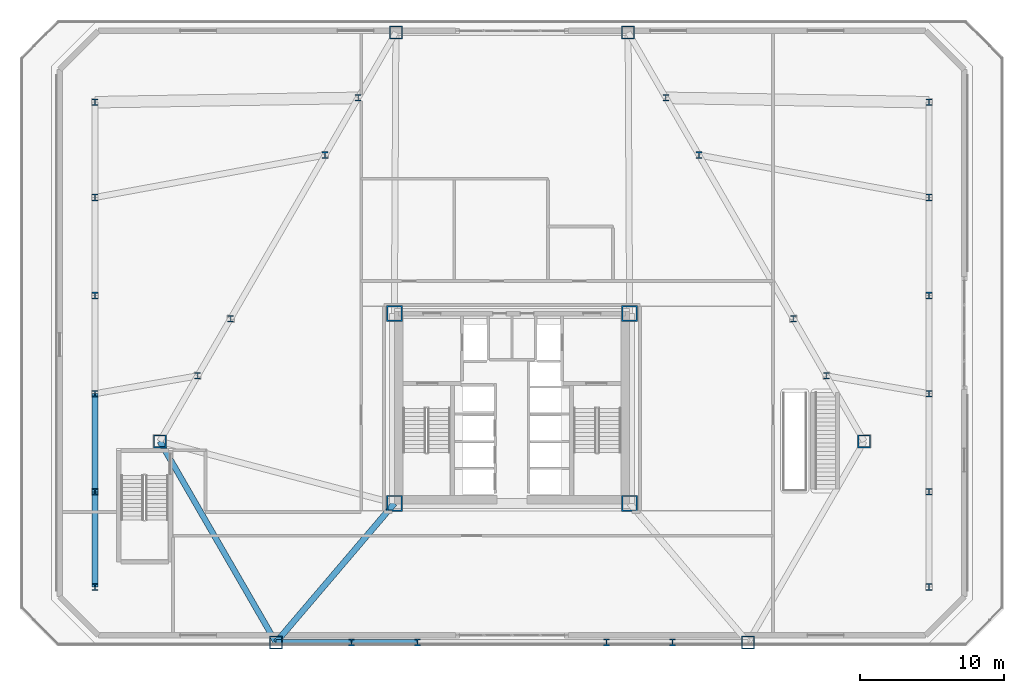
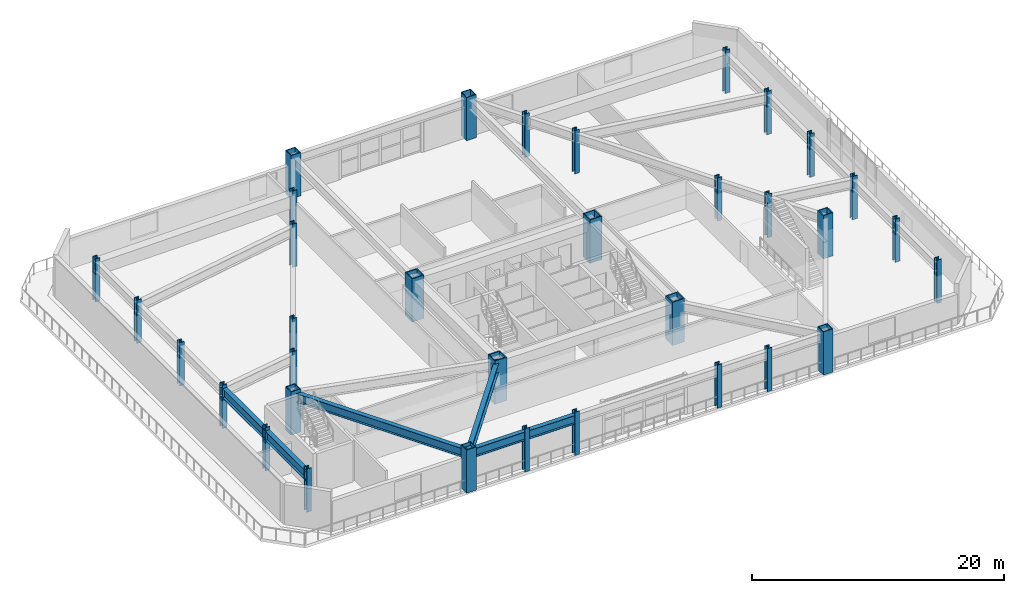
# One storey, part 1 of 22: 34 columns, 6 beams.
"""IFC4 building model written with IfcOpenShell, lengths in metres."""

from ifc_helpers import new_model, si_unit, direction, frame, origin, origin_2d, place, context, subcontext, project, spatial, hollow_rectangle, i_section, extrude, material, material_profile, profile_set, type_object, element, save


model = new_model("IFC4")

# Units and contexts
model_context = context("Model", 3, precision=1e-05, world=origin(), true_north=direction((0.0, 1.0)))
body_context = subcontext(model_context, "Body", "Model", "MODEL_VIEW")
ifc_project = project(units=[si_unit("LENGTHUNIT", "METRE"), si_unit("AREAUNIT", "SQUARE_METRE"), si_unit("VOLUMEUNIT", "CUBIC_METRE"), si_unit("PLANEANGLEUNIT", "RADIAN"), si_unit("MASSUNIT", "GRAM", prefix="KILO")], contexts=[model_context])

# Site, building, storey
site_placement = place(None, origin())
site = spatial("IfcSite", under=ifc_project, at=site_placement, CompositionType="ELEMENT")
building_placement = place(site_placement, origin())
building = spatial("IfcBuilding", under=site, at=building_placement, Name="Oramaril Tower", CompositionType="ELEMENT")
storey_placement = place(building_placement, frame((0.0, 0.0, 18.300048828125)))
storey = spatial("IfcBuildingStorey", under=building, at=storey_placement, Name="L04", CompositionType="ELEMENT", Elevation=18.300048828125)

# Columns
ifc_material_1 = material(Name="Steel ASTM A572 Gr 50", Category="steel")
ifc_material_profile_1 = material_profile(ifc_material_1, hollow_rectangle(XDim=1.10009765625, YDim=1.10009765625, WallThickness=0.090087890625, at=origin_2d()), Name="BOX1100X1100X90")
ifc_profile_set_1 = profile_set([ifc_material_profile_1], Name="Steel ASTM A572 Gr 50")
column_type_1 = type_object("IfcColumnType", Name="CT-CC1", PredefinedType="COLUMN", material=ifc_profile_set_1)
for number, where, z_axis, x_axis, name in (
    (1, (29.35009765625, 11.0, 0.0), (0.0, 0.0, 1.0), (1.0, 0.0, 0.0), "L04 Core Column CC-1"),
    (2, (45.64990234375, 11.0, 0.0), (0.0, 0.0, 1.0), (1.0, 0.0, 0.0), "L04 Core Column CC-2"),
    (3, (45.64990234375, 24.14990234375, 0.0), (0.0, 0.0, 1.0), (1.0, 0.0, 0.0), "L04 Core Column CC-3"),
    (4, (29.35009765625, 24.14990234375, 0.0), (0.0, 0.0, 1.0), (1.0, 0.0, 0.0), "L04 Core Column CC-4"),
):
    element("IfcColumn", number, at=place(storey_placement, frame(where, z_axis=z_axis, x_axis=x_axis)), inside=storey, type_object=column_type_1, Name=name, PredefinedType="COLUMN", context=body_context, shape_type="SweptSolid", body=[
        extrude(hollow_rectangle(XDim=1.10009765625, YDim=1.10009765625, WallThickness=0.090087890625, at=origin_2d()), origin(), (0.0, 0.0, 1.0), 4.199951171875),
    ])
ifc_material_2 = material(Name="Steel ASTM A572 Gr 50", Category="steel")
ifc_material_profile_2 = material_profile(ifc_material_2, hollow_rectangle(XDim=0.89990234375, YDim=0.89990234375, WallThickness=0.074951171875, at=origin_2d()), Name="BOX900X900X75")
ifc_profile_set_2 = profile_set([ifc_material_profile_2], Name="Steel ASTM A572 Gr 50")
column_type_2 = type_object("IfcColumnType", Name="CT-TC2", PredefinedType="COLUMN", material=ifc_profile_set_2)
for number, where, z_axis, x_axis, name in (
    (5, (13.089599609375, 15.300048828125, 0.00439453125), (0.0, 0.0, 1.0), (1.0, 0.0, 0.0), "L04 Tube Column TC-01"),
    (6, (21.137939453125, 1.360107421875, 0.00439453125), (0.0, 0.0, 1.0), (1.0, 0.0, 0.0), "L04 Tube Column TC-02"),
    (7, (53.862060546875, 1.360107421875, 0.00439453125), (0.0, 0.0, 1.0), (1.0, 0.0, 0.0), "L04 Tube Column TC-03"),
    (8, (61.910400390625, 15.300048828125, 0.00439453125), (0.0, 0.0, 1.0), (1.0, 0.0, 0.0), "L04 Tube Column TC-04"),
    (9, (45.548095703125, 43.639892578125, 0.00439453125), (0.0, 0.0, 1.0), (1.0, 0.0, 0.0), "L04 Tube Column TC-05"),
    (10, (29.451904296875, 43.639892578125, 0.00439453125), (0.0, 0.0, 1.0), (1.0, 0.0, 0.0), "L04 Tube Column TC-06"),
):
    element("IfcColumn", number, at=place(storey_placement, frame(where, z_axis=z_axis, x_axis=x_axis)), inside=storey, type_object=column_type_2, Name=name, PredefinedType="COLUMN", context=body_context, shape_type="SweptSolid", body=[
        extrude(hollow_rectangle(XDim=0.89990234375, YDim=0.89990234375, WallThickness=0.074951171875, at=origin_2d()), origin(), (0.0, 0.0, 1.0), 4.191162109375),
    ])
ifc_material_3 = material(Name="Steel ASTM A572 Gr 50", Category="steel")
ifc_material_profile_3 = material_profile(ifc_material_3, i_section(OverallWidth=0.422119140625, OverallDepth=0.465087890625, WebThickness=0.044921875, FlangeThickness=0.072021484375, at=origin_2d()), Name="W14X398")
ifc_profile_set_3 = profile_set([ifc_material_profile_3], Name="Steel ASTM A572 Gr 50")
column_type_3 = type_object("IfcColumnType", Name="CT-TF1", PredefinedType="COLUMN", material=ifc_profile_set_3)
for number, where, z_axis, x_axis, name in (
    (11, (26.373779296875, 1.360107421875, 0.00439453125), (0.0, 0.0, 1.0), (1.0, 0.0, 0.0), "L04 Tube Column TC-07"),
    (12, (30.955078125, 1.360107421875, 0.00439453125), (0.0, 0.0, 1.0), (1.0, 0.0, 0.0), "L04 Tube Column TC-08"),
    (13, (44.044921875, 1.360107421875, 0.00439453125), (0.0, 0.0, 1.0), (1.0, 0.0, 0.0), "L04 Tube Column TC-09"),
    (14, (48.626220703125, 1.360107421875, 0.00439453125), (0.0, 0.0, 1.0), (1.0, 0.0, 0.0), "L04 Tube Column TC-10"),
    (15, (59.29248046875, 19.83447265625, 0.00439453125), (0.0, 0.0, 1.0), (1.0, 0.0, 0.0), "L04 Tube Column TC-11"),
    (16, (57.001708984375, 23.802001953125, 0.00439453125), (0.0, 0.0, 1.0), (1.0, 0.0, 0.0), "L04 Tube Column TC-12"),
    (17, (50.456787109375, 35.137939453125, 0.00439453125), (0.0, 0.0, 1.0), (1.0, 0.0, 0.0), "L04 Tube Column TC-13"),
    (18, (48.166015625, 39.105712890625, 0.00439453125), (0.0, 0.0, 1.0), (1.0, 0.0, 0.0), "L04 Tube Column TC-14"),
    (19, (26.833984375, 39.105712890625, 0.00439453125), (0.0, 0.0, 1.0), (1.0, 0.0, 0.0), "L04 Tube Column TC-15"),
    (20, (24.543212890625, 35.137939453125, 0.00439453125), (0.0, 0.0, 1.0), (1.0, 0.0, 0.0), "L04 Tube Column TC-16"),
    (21, (17.998291015625, 23.802001953125, 0.00439453125), (0.0, 0.0, 1.0), (1.0, 0.0, 0.0), "L04 Tube Column TC-17"),
    (22, (15.70751953125, 19.83447265625, 0.00439453125), (0.0, 0.0, 1.0), (1.0, 0.0, 0.0), "L04 Tube Column TC-18"),
):
    element("IfcColumn", number, at=place(storey_placement, frame(where, z_axis=z_axis, x_axis=x_axis)), inside=storey, type_object=column_type_3, Name=name, PredefinedType="COLUMN", context=body_context, shape_type="SweptSolid", body=[
        extrude(i_section(OverallWidth=0.422119140625, OverallDepth=0.465087890625, WebThickness=0.044921875, FlangeThickness=0.072021484375, at=origin_2d()), origin(), (0.0, 0.0, 1.0), 4.191162109375),
    ])
for number, where, z_axis, x_axis, name in (
    (23, (8.60009765625, 5.199951171875, 0.0), (0.0, 0.0, 1.0), (1.0, 0.0, 0.0), "L04 Podium Column PCOL-01"),
    (24, (8.60009765625, 11.800048828125, 0.0), (0.0, 0.0, 1.0), (1.0, 0.0, 0.0), "L04 Podium Column PCOL-02"),
    (25, (8.60009765625, 18.60009765625, 0.0), (0.0, 0.0, 1.0), (1.0, 0.0, 0.0), "L04 Podium Column PCOL-03"),
    (26, (8.60009765625, 25.39990234375, 0.0), (0.0, 0.0, 1.0), (1.0, 0.0, 0.0), "L04 Podium Column PCOL-04"),
    (27, (8.60009765625, 32.199951171875, 0.0), (0.0, 0.0, 1.0), (1.0, 0.0, 0.0), "L04 Podium Column PCOL-05"),
    (28, (8.60009765625, 38.800048828125, 0.0), (0.0, 0.0, 1.0), (1.0, 0.0, 0.0), "L04 Podium Column PCOL-06"),
    (29, (66.39990234375, 5.199951171875, 0.0), (0.0, 0.0, 1.0), (1.0, 0.0, 0.0), "L04 Podium Column PCOL-07"),
    (30, (66.39990234375, 11.800048828125, 0.0), (0.0, 0.0, 1.0), (1.0, 0.0, 0.0), "L04 Podium Column PCOL-08"),
    (31, (66.39990234375, 18.60009765625, 0.0), (0.0, 0.0, 1.0), (1.0, 0.0, 0.0), "L04 Podium Column PCOL-09"),
    (32, (66.39990234375, 25.39990234375, 0.0), (0.0, 0.0, 1.0), (1.0, 0.0, 0.0), "L04 Podium Column PCOL-10"),
    (33, (66.39990234375, 32.199951171875, 0.0), (0.0, 0.0, 1.0), (1.0, 0.0, 0.0), "L04 Podium Column PCOL-11"),
    (34, (66.39990234375, 38.800048828125, 0.0), (0.0, 0.0, 1.0), (1.0, 0.0, 0.0), "L04 Podium Column PCOL-12"),
):
    element("IfcColumn", number, at=place(storey_placement, frame(where, z_axis=z_axis, x_axis=x_axis)), inside=storey, type_object=column_type_3, Name=name, PredefinedType="COLUMN", context=body_context, shape_type="SweptSolid", body=[
        extrude(i_section(OverallWidth=0.422119140625, OverallDepth=0.465087890625, WebThickness=0.044921875, FlangeThickness=0.072021484375, at=origin_2d()), origin(), (0.0, 0.0, 1.0), 4.199951171875),
    ])

# Beams
ifc_material_4 = material(Name="Steel ASTM A572 Gr 50", Category="steel")
ifc_material_profile_4 = material_profile(ifc_material_4, i_section(OverallWidth=0.4189453125, OverallDepth=0.927001953125, WebThickness=0.019287109375, FlangeThickness=0.031982421875, at=origin_2d()), Name="W36X231")
ifc_profile_set_4 = profile_set([ifc_material_profile_4], Name="Steel ASTM A572 Gr 50")
beam_type_1 = type_object("IfcBeamType", Name="BT-PG2", PredefinedType="BEAM", material=ifc_profile_set_4)
beam_1_placement = place(storey_placement, frame((29.35009765625, 11.0, 3.41650390625), z_axis=(-0.64848466157, -0.761227721322, 0.0), x_axis=(0.761227721322, -0.64848466157, 0.0)))
element("IfcBeam", 35, at=beam_1_placement, inside=storey, type_object=beam_type_1, Name="L04 Radial Primary Beam RB-02", PredefinedType="BEAM", context=body_context, shape_type="SweptSolid", body=[
    extrude(i_section(OverallWidth=0.4189453125, OverallDepth=0.927001953125, WebThickness=0.019287109375, FlangeThickness=0.031982421875, at=origin_2d()), origin(), (0.0, 0.0, 1.0), 12.66357421875),
])
beam_2_placement = place(storey_placement, frame((8.60009765625, 5.199951171875, 3.41650390625), z_axis=(0.0, 1.0, 0.0), x_axis=(-1.0, 0.0, 0.0)))
element("IfcBeam", 36, at=beam_2_placement, inside=storey, type_object=beam_type_1, Name="L04 Podium Perimeter Girder 01", PredefinedType="BEAM", context=body_context, shape_type="SweptSolid", body=[
    extrude(i_section(OverallWidth=0.4189453125, OverallDepth=0.927001953125, WebThickness=0.019287109375, FlangeThickness=0.031982421875, at=origin_2d()), origin(), (0.0, 0.0, 1.0), 6.60009765625),
])
beam_3_placement = place(storey_placement, frame((8.60009765625, 11.800048828125, 3.41650390625), z_axis=(0.0, 1.0, 0.0), x_axis=(-1.0, 0.0, 0.0)))
element("IfcBeam", 37, at=beam_3_placement, inside=storey, type_object=beam_type_1, Name="L04 Podium Perimeter Girder 02", PredefinedType="BEAM", context=body_context, shape_type="SweptSolid", body=[
    extrude(i_section(OverallWidth=0.4189453125, OverallDepth=0.927001953125, WebThickness=0.019287109375, FlangeThickness=0.031982421875, at=origin_2d()), origin(), (0.0, 0.0, 1.0), 6.800048828125),
])
ifc_material_5 = material(Name="Steel ASTM A572 Gr 50", Category="steel")
ifc_material_profile_5 = material_profile(ifc_material_5, i_section(OverallWidth=0.40087890625, OverallDepth=0.85595703125, WebThickness=0.018310546875, FlangeThickness=0.029296875, at=origin_2d()), Name="W33X201")
ifc_profile_set_5 = profile_set([ifc_material_profile_5], Name="Steel ASTM A572 Gr 50")
beam_type_2 = type_object("IfcBeamType", Name="BT-SP1", PredefinedType="SPANDREL", material=ifc_profile_set_5)
beam_4_placement = place(storey_placement, frame((13.089599609375, 15.300048828125, 3.451904296875), z_axis=(0.500005168208, -0.866022419898, 0.0), x_axis=(0.866022419898, 0.500005168208, 0.0)))
element("IfcBeam", 38, at=beam_4_placement, inside=storey, type_object=beam_type_2, Name="L04 Perimeter Spandrel 01", PredefinedType="SPANDREL", context=body_context, shape_type="SweptSolid", body=[
    extrude(i_section(OverallWidth=0.40087890625, OverallDepth=0.85595703125, WebThickness=0.018310546875, FlangeThickness=0.029296875, at=origin_2d()), origin(), (0.0, 0.0, 1.0), 16.096435546875),
])
beam_5_placement = place(storey_placement, frame((21.137939453125, 1.360107421875, 3.451904296875), z_axis=(1.0, 0.0, 0.0), x_axis=(0.0, 1.0, 0.0)))
element("IfcBeam", 39, at=beam_5_placement, inside=storey, type_object=beam_type_2, Name="L04 Perimeter Spandrel 02", PredefinedType="SPANDREL", context=body_context, shape_type="SweptSolid", body=[
    extrude(i_section(OverallWidth=0.40087890625, OverallDepth=0.85595703125, WebThickness=0.018310546875, FlangeThickness=0.029296875, at=origin_2d()), origin(), (0.0, 0.0, 1.0), 5.23583984375),
])
beam_6_placement = place(storey_placement, frame((26.373779296875, 1.360107421875, 3.451904296875), z_axis=(1.0, 0.0, 0.0), x_axis=(0.0, 1.0, 0.0)))
element("IfcBeam", 40, at=beam_6_placement, inside=storey, type_object=beam_type_2, Name="L04 Perimeter Spandrel 03", PredefinedType="SPANDREL", context=body_context, shape_type="SweptSolid", body=[
    extrude(i_section(OverallWidth=0.40087890625, OverallDepth=0.85595703125, WebThickness=0.018310546875, FlangeThickness=0.029296875, at=origin_2d()), origin(), (0.0, 0.0, 1.0), 4.581298828125),
])

save(model, "model.ifc")
